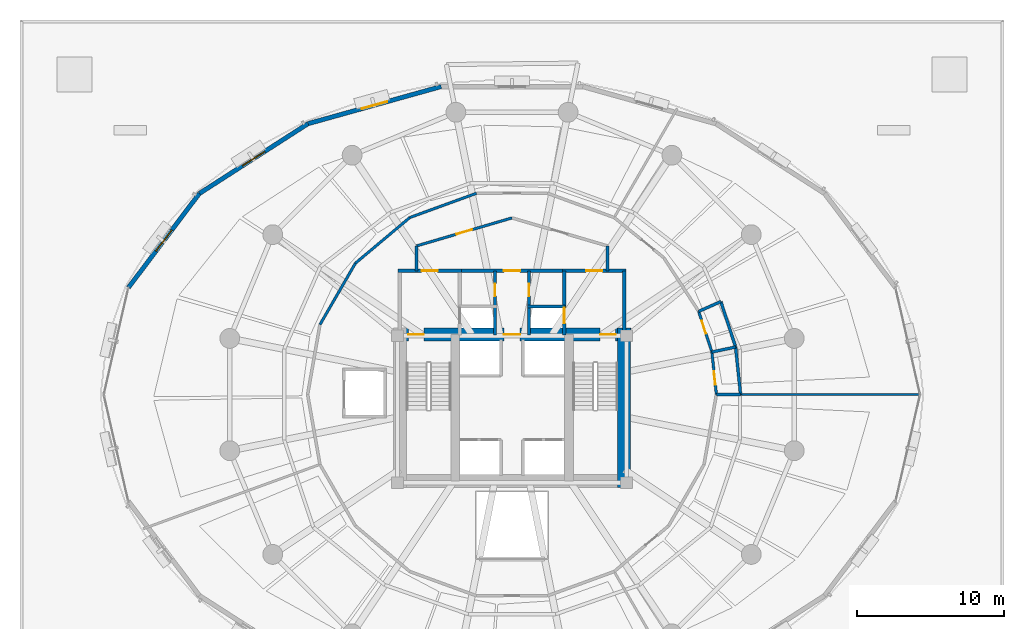
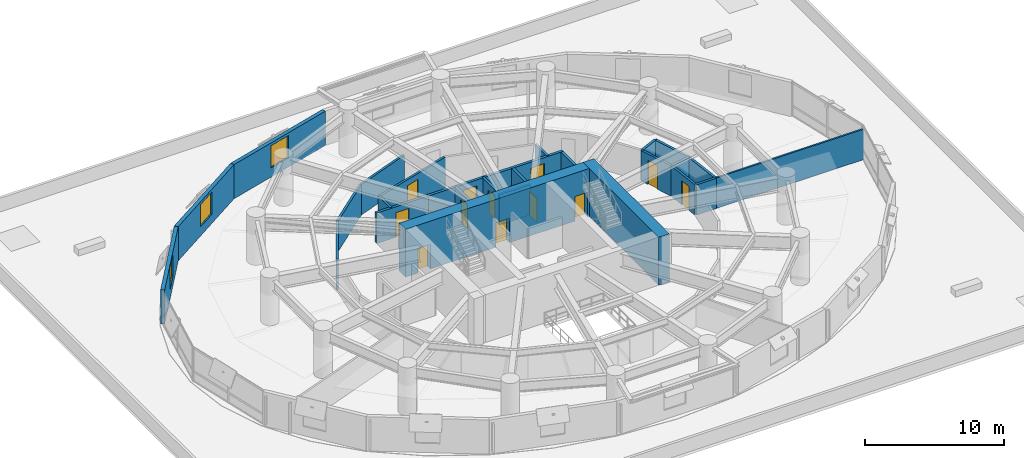
# One storey, part 10 of 15: 27 walls, 12 doors, 3 windows, 15 openings.
"""IFC4 building model written with IfcOpenShell, lengths in metres."""

from ifc_helpers import new_model, si_unit, direction, frame, frame_2d, origin, place, context, subcontext, project, spatial, rectangle, extrude, material, layer, layer_set, type_object, element, fill, save


model = new_model("IFC4")

# Units and contexts
model_context = context("Model", 3, precision=1e-05, world=origin(), true_north=direction((0.0, 1.0)))
body_context = subcontext(model_context, "Body", "Model", "MODEL_VIEW")
ifc_project = project(units=[si_unit("LENGTHUNIT", "METRE"), si_unit("AREAUNIT", "SQUARE_METRE"), si_unit("VOLUMEUNIT", "CUBIC_METRE"), si_unit("PLANEANGLEUNIT", "RADIAN"), si_unit("MASSUNIT", "GRAM", prefix="KILO"), si_unit("THERMODYNAMICTEMPERATUREUNIT", "KELVIN"), si_unit("POWERUNIT", "WATT")], contexts=[model_context])

# Site, building, storey
site_placement = place(None, origin())
site = spatial("IfcSite", under=ifc_project, at=site_placement, CompositionType="ELEMENT")
building_placement = place(site_placement, origin())
building = spatial("IfcBuilding", under=site, at=building_placement, Name="Ocrelia Relay Tower", CompositionType="ELEMENT")
storey_placement = place(building_placement, frame((0.0, 0.0, 30.0)))
storey = spatial("IfcBuildingStorey", under=building, at=storey_placement, Name="L06", CompositionType="ELEMENT", Elevation=30.0)

# Wall, openings, doors
ifc_material_1 = material(Name="Concrete C70/85", Category="concrete")
ifc_layer_1 = layer(ifc_material_1, 0.89990234375, Name="Concrete C70/85")
ifc_layer_set_1 = layer_set([ifc_layer_1], Name="Concrete C70/85")
wall_type_1 = type_object("IfcWallType", Name="CW-CORE-900", PredefinedType="SHEAR", material=ifc_layer_set_1)
wall_1_placement = place(storey_placement, frame((25.922119140625, 30.087890625, 0.0), z_axis=(0.0, 0.0, 1.0), x_axis=(1.0, 0.0, 0.0)))
wall_1 = element("IfcWall", 1, at=wall_1_placement, inside=storey, type_object=wall_type_1, Name="L06 Core Shear Wall N", PredefinedType="SHEAR", context=body_context, shape_type="SweptSolid", body=[
    extrude(rectangle(XDim=16.165771484375, YDim=0.89990234375, at=frame_2d((8.0830078125, 0.0))), origin(), (0.0, 0.0, 1.0), 4.199951171875),
])
opening_1_placement = place(wall_1_placement, frame((1.028076171875, 0.0, 0.0)))
opening_1 = element("IfcOpeningElement", 2, at=opening_1_placement, cuts=wall_1, Name="Opening D-FD90", PredefinedType="OPENING", context=body_context, shape_type="SweptSolid", body=[
    extrude(rectangle(XDim=1.050048828125, YDim=2.14990234375, at=frame_2d((0.52490234375, 1.074951171875))), frame((0.0, 0.4599609375, 0.0), z_axis=(0.0, -1.0, 0.0), x_axis=(1.0, 0.0, 0.0)), (0.0, 0.0, 1.0), 0.919921875),
])
opening_2_placement = place(wall_1_placement, frame((14.077880859375, 0.0, 0.0)))
opening_2 = element("IfcOpeningElement", 3, at=opening_2_placement, cuts=wall_1, Name="Opening D-FD90", PredefinedType="OPENING", context=body_context, shape_type="SweptSolid", body=[
    extrude(rectangle(XDim=1.050048828125, YDim=2.14990234375, at=frame_2d((0.52490234375, 1.074951171875))), frame((0.0, 0.4599609375, 0.0), z_axis=(0.0, -1.0, 0.0), x_axis=(1.0, 0.0, 0.0)), (0.0, 0.0, 1.0), 0.919921875),
])
opening_3_placement = place(wall_1_placement, frame((7.528076171875, 0.0, 0.0)))
opening_3 = element("IfcOpeningElement", 4, at=opening_3_placement, cuts=wall_1, Name="Opening D-FD60", PredefinedType="OPENING", context=body_context, shape_type="SweptSolid", body=[
    extrude(rectangle(XDim=1.10009765625, YDim=2.14990234375, at=frame_2d((0.550048828125, 1.074951171875))), frame((0.0, 0.4599609375, 0.0), z_axis=(0.0, -1.0, 0.0), x_axis=(1.0, 0.0, 0.0)), (0.0, 0.0, 1.0), 0.919921875),
])
ifc_material_2 = material(Name="Timber-core 60-min acoustic fire door", Category="wood")
door_type_1 = type_object("IfcDoorType", Name="DR-LOBBY-FD60-1100", OperationType="NOTDEFINED", PredefinedType="DOOR", material=ifc_material_2)
door_1_placement = place(opening_3_placement, origin())
door_1 = element("IfcDoor", 5, at=door_1_placement, inside=storey, type_object=door_type_1, Name="L06 Core Lift Lobby North Fire Door", OperationType="SINGLE_SWING_RIGHT", OverallHeight=2.14990234375, OverallWidth=1.10009765625, PredefinedType="DOOR", context=body_context, shape_type="SweptSolid", body=[
    extrude(rectangle(XDim=1.10009765625, YDim=2.14990234375, at=frame_2d((0.550048828125, 1.074951171875))), frame((0.0, 0.02490234375, 0.0), z_axis=(0.0, -1.0, 0.0), x_axis=(1.0, 0.0, 0.0)), (0.0, 0.0, 1.0), 0.050048828125),
])
fill(opening_3, door_1)
ifc_material_3 = material(Name="Steel S355 90-min fire door", Category="steel")
door_type_2 = type_object("IfcDoorType", Name="DR-STAIR-FD90-1050", OperationType="NOTDEFINED", PredefinedType="DOOR", material=ifc_material_3)
door_2_placement = place(opening_1_placement, origin())
door_2 = element("IfcDoor", 6, at=door_2_placement, inside=storey, type_object=door_type_2, Name="L06 Stair ST1 Fire Door", OperationType="SINGLE_SWING_RIGHT", OverallHeight=2.14990234375, OverallWidth=1.050048828125, PredefinedType="DOOR", context=body_context, shape_type="SweptSolid", body=[
    extrude(rectangle(XDim=1.050048828125, YDim=2.14990234375, at=frame_2d((0.52490234375, 1.074951171875))), frame((0.0, 0.02490234375, 0.0), z_axis=(0.0, -1.0, 0.0), x_axis=(1.0, 0.0, 0.0)), (0.0, 0.0, 1.0), 0.050048828125),
])
fill(opening_1, door_2)
door_3_placement = place(opening_2_placement, origin())
door_3 = element("IfcDoor", 7, at=door_3_placement, inside=storey, type_object=door_type_2, Name="L06 Stair ST2 Fire Door", OperationType="SINGLE_SWING_LEFT", OverallHeight=2.14990234375, OverallWidth=1.050048828125, PredefinedType="DOOR", context=body_context, shape_type="SweptSolid", body=[
    extrude(rectangle(XDim=1.050048828125, YDim=2.14990234375, at=frame_2d((0.52490234375, 1.074951171875))), frame((0.0, 0.02490234375, 0.0), z_axis=(0.0, -1.0, 0.0), x_axis=(1.0, 0.0, 0.0)), (0.0, 0.0, 1.0), 0.050048828125),
])
fill(opening_2, door_3)

# Walls
wall_2_placement = place(storey_placement, frame((41.637939453125, 19.662109375, 0.0), z_axis=(0.0, 0.0, 1.0), x_axis=(0.0, 1.0, 0.0)))
element("IfcWall", 8, at=wall_2_placement, inside=storey, type_object=wall_type_1, Name="L06 Core Shear Wall E", PredefinedType="SHEAR", context=body_context, shape_type="SweptSolid", body=[
    extrude(rectangle(XDim=10.8759765625, YDim=0.89990234375, at=frame_2d((5.43798828125, 0.0))), origin(), (0.0, 0.0, 1.0), 4.199951171875),
])
ifc_material_4 = material(Name="Gypsum Fireboard Partition EI60", Category="gypsum")
ifc_layer_2 = layer(ifc_material_4, 0.179931640625, Name="Gypsum Fireboard Partition EI60")
ifc_layer_set_2 = layer_set([ifc_layer_2], Name="Gypsum Fireboard Partition EI60")
wall_type_2 = type_object("IfcWallType", Name="W-CORR-EI60-180", PredefinedType="PARTITIONING", material=ifc_layer_set_2)
for number, where, z_axis, x_axis, name in (
    (9, (27.5, 34.429931640625, 0.0), (0.0, 0.0, 1.0), (0.0, 1.0, 0.0), "L06 Smoke Lobby West Return"),
    (10, (40.5, 36.122802734375, 0.0), (0.0, 0.0, 1.0), (0.0, -1.0, 0.0), "L06 Smoke Lobby East Return"),
):
    element("IfcWall", number, at=place(storey_placement, frame(where, z_axis=z_axis, x_axis=x_axis)), inside=storey, type_object=wall_type_2, Name=name, PredefinedType="PARTITIONING", context=body_context, shape_type="SweptSolid", body=[
        extrude(rectangle(XDim=1.69287109375, YDim=0.179931640625, at=frame_2d((0.846435546875, 0.0))), origin(), (0.0, 0.0, 1.0), 2.669921875),
    ])

# Wall, opening, door
wall_3_placement = place(storey_placement, frame((27.5, 36.122802734375, 0.0), z_axis=(0.0, 0.0, 1.0), x_axis=(0.959546654541, 0.281549671923, 0.0)))
wall_3 = element("IfcWall", 11, at=wall_3_placement, inside=storey, type_object=wall_type_2, Name="L06 North Smoke Lobby W Screen Wall", PredefinedType="PARTITIONING", context=body_context, shape_type="SweptSolid", body=[
    extrude(rectangle(XDim=6.77392578125, YDim=0.179931640625, at=frame_2d((3.386962890625, 0.0))), origin(), (0.0, 0.0, 1.0), 2.669921875),
])
opening_4_placement = place(wall_3_placement, frame((2.8369140625, 0.0, 0.0)))
opening_4 = element("IfcOpeningElement", 12, at=opening_4_placement, cuts=wall_3, Name="Opening D-FD60", PredefinedType="OPENING", context=body_context, shape_type="SweptSolid", body=[
    extrude(rectangle(XDim=1.10009765625, YDim=2.14990234375, at=frame_2d((0.550048828125, 1.074951171875))), frame((0.0, 0.10009765625, 0.0), z_axis=(0.0, -1.0, 0.0), x_axis=(1.0, 0.0, 0.0)), (0.0, 0.0, 1.0), 0.199951171875),
])
door_4_placement = place(opening_4_placement, origin())
door_4 = element("IfcDoor", 13, at=door_4_placement, inside=storey, type_object=door_type_1, Name="L06 North Smoke Lobby W Fire Door", OperationType="SINGLE_SWING_RIGHT", OverallHeight=2.14990234375, OverallWidth=1.10009765625, PredefinedType="DOOR", context=body_context, shape_type="SweptSolid", body=[
    extrude(rectangle(XDim=1.10009765625, YDim=2.14990234375, at=frame_2d((0.550048828125, 1.074951171875))), frame((0.0, 0.02490234375, 0.0), z_axis=(0.0, -1.0, 0.0), x_axis=(1.0, 0.0, 0.0)), (0.0, 0.0, 1.0), 0.050048828125),
])
fill(opening_4, door_4)

wall_4_placement = place(storey_placement, frame((47.919921875, 26.0, 0.0), z_axis=(0.0, 0.0, 1.0), x_axis=(-0.104536296253, 0.994521072057, 0.0)))
wall_4 = element("IfcWall", 14, at=wall_4_placement, inside=storey, type_object=wall_type_2, Name="L06 Staff Toilet Corridor Wall", PredefinedType="PARTITIONING", context=body_context, shape_type="SweptSolid", body=[
    extrude(rectangle(XDim=2.909912109375, YDim=0.179931640625, at=frame_2d((1.455078125, 0.0))), origin(), (0.0, 0.0, 1.0), 2.669921875),
])
opening_5_placement = place(wall_4_placement, frame((0.6689453125, 0.0, 0.0)))
opening_5 = element("IfcOpeningElement", 15, at=opening_5_placement, cuts=wall_4, Name="Opening D-WC92", PredefinedType="OPENING", context=body_context, shape_type="SweptSolid", body=[
    extrude(rectangle(XDim=0.919921875, YDim=2.10009765625, at=frame_2d((0.4599609375, 1.050048828125))), frame((0.0, 0.10009765625, 0.0), z_axis=(0.0, -1.0, 0.0), x_axis=(1.0, 0.0, 0.0)), (0.0, 0.0, 1.0), 0.199951171875),
])
ifc_material_5 = material(Name="Laminate washroom door", Category="wood")
door_type_3 = type_object("IfcDoorType", Name="DR-WC-920", OperationType="NOTDEFINED", PredefinedType="DOOR", material=ifc_material_5)
door_5_placement = place(opening_5_placement, origin())
door_5 = element("IfcDoor", 16, at=door_5_placement, inside=storey, type_object=door_type_3, Name="L06 Staff Toilet Door", OperationType="SINGLE_SWING_RIGHT", OverallHeight=2.10009765625, OverallWidth=0.919921875, PredefinedType="DOOR", context=body_context, shape_type="SweptSolid", body=[
    extrude(rectangle(XDim=0.919921875, YDim=2.10009765625, at=frame_2d((0.4599609375, 1.050048828125))), frame((0.0, 0.02490234375, 0.0), z_axis=(0.0, -1.0, 0.0), x_axis=(1.0, 0.0, 0.0)), (0.0, 0.0, 1.0), 0.050048828125),
])
fill(opening_5, door_5)

wall_5_placement = place(storey_placement, frame((47.61572265625, 28.89404296875, 0.0), z_axis=(0.0, 0.0, 1.0), x_axis=(-0.308970358399, 0.951071667978, 0.0)))
wall_5 = element("IfcWall", 17, at=wall_5_placement, inside=storey, type_object=wall_type_2, Name="L06 Accessible Toilet Corridor Wall", PredefinedType="PARTITIONING", context=body_context, shape_type="SweptSolid", body=[
    extrude(rectangle(XDim=2.91015625, YDim=0.179931640625, at=frame_2d((1.455078125, 0.0))), origin(), (0.0, 0.0, 1.0), 2.669921875),
])
opening_6_placement = place(wall_5_placement, frame((1.321044921875, 0.0, 0.0)))
opening_6 = element("IfcOpeningElement", 18, at=opening_6_placement, cuts=wall_5, Name="Opening D-WC92", PredefinedType="OPENING", context=body_context, shape_type="SweptSolid", body=[
    extrude(rectangle(XDim=0.919921875, YDim=2.10009765625, at=frame_2d((0.4599609375, 1.050048828125))), frame((0.0, 0.10009765625, 0.0), z_axis=(0.0, -1.0, 0.0), x_axis=(1.0, 0.0, 0.0)), (0.0, 0.0, 1.0), 0.199951171875),
])
door_6_placement = place(opening_6_placement, origin())
door_6 = element("IfcDoor", 19, at=door_6_placement, inside=storey, type_object=door_type_3, Name="L06 Accessible Toilet Door", OperationType="SINGLE_SWING_LEFT", OverallHeight=2.10009765625, OverallWidth=0.919921875, PredefinedType="DOOR", context=body_context, shape_type="SweptSolid", body=[
    extrude(rectangle(XDim=0.919921875, YDim=2.10009765625, at=frame_2d((0.4599609375, 1.050048828125))), frame((0.0, 0.02490234375, 0.0), z_axis=(0.0, -1.0, 0.0), x_axis=(1.0, 0.0, 0.0)), (0.0, 0.0, 1.0), 0.050048828125),
])
fill(opening_6, door_6)

# Walls
wall_6_placement = place(storey_placement, frame((31.582763671875, 39.70849609375, 0.0), z_axis=(0.0, 0.0, 1.0), x_axis=(-0.939699018122, -0.342002566277, 0.0)))
element("IfcWall", 20, at=wall_6_placement, inside=storey, type_object=wall_type_2, Name="L06 Colocation Data Hall A Corridor Partition 3", PredefinedType="PARTITIONING", context=body_context, shape_type="SweptSolid", body=[
    extrude(rectangle(XDim=4.834228515625, YDim=0.179931640625, at=frame_2d((2.4169921875, 0.0))), origin(), (0.0, 0.0, 1.0), 2.669921875),
])
wall_7_placement = place(storey_placement, frame((27.0400390625, 38.05517578125, 0.0), z_axis=(0.0, 0.0, 1.0), x_axis=(-0.766027093856, -0.642808285167, 0.0)))
element("IfcWall", 21, at=wall_7_placement, inside=storey, type_object=wall_type_2, Name="L06 Colocation Data Hall A Corridor Partition 4", PredefinedType="PARTITIONING", context=body_context, shape_type="SweptSolid", body=[
    extrude(rectangle(XDim=4.83447265625, YDim=0.179931640625, at=frame_2d((2.417236328125, 0.0))), origin(), (0.0, 0.0, 1.0), 2.669921875),
])
wall_8_placement = place(storey_placement, frame((23.336669921875, 34.947509765625, 0.0), z_axis=(0.0, 0.0, 1.0), x_axis=(-0.500022634323, -0.866012335458, 0.0)))
element("IfcWall", 22, at=wall_8_placement, inside=storey, type_object=wall_type_2, Name="L06 Colocation Data Hall A Corridor Partition 5", PredefinedType="PARTITIONING", context=body_context, shape_type="SweptSolid", body=[
    extrude(rectangle(XDim=4.834228515625, YDim=0.179931640625, at=frame_2d((2.4169921875, 0.0))), origin(), (0.0, 0.0, 1.0), 2.669921875),
])

# Wall, opening, window
ifc_material_6 = material(Name="Precast concrete C40/50 with oxide terracotta", Category="masonry")
ifc_layer_3 = layer(ifc_material_6, 0.300048828125, Name="Precast concrete C40/50 with oxide terracotta")
ifc_layer_set_3 = layer_set([ifc_layer_3], Name="Precast concrete C40/50 with oxide terracotta")
wall_type_3 = type_object("IfcWallType", Name="W-EXT-TERR-300", PredefinedType="SOLIDWALL", material=ifc_layer_set_3)
wall_9_placement = place(storey_placement, frame((29.172607421875, 46.976318359375, 0.0), z_axis=(0.0, 0.0, 1.0), x_axis=(-0.963246695545, -0.268618323133, 0.0)))
wall_9 = element("IfcWall", 23, at=wall_9_placement, inside=storey, type_object=wall_type_3, Name="L06 Oxide Terracotta Facade Wall 06", PredefinedType="SOLIDWALL", context=body_context, shape_type="SweptSolid", body=[
    extrude(rectangle(XDim=9.418701171875, YDim=0.300048828125, at=frame_2d((4.70947265625, 0.0))), origin(), (0.0, 0.0, 1.0), 3.0),
])
opening_7_placement = place(wall_9_placement, frame((3.80908203125, 0.0, 0.800048828125)))
opening_7 = element("IfcOpeningElement", 24, at=opening_7_placement, cuts=wall_9, Name="Opening W-02", PredefinedType="OPENING", context=body_context, shape_type="SweptSolid", body=[
    extrude(rectangle(XDim=1.800048828125, YDim=1.949951171875, at=frame_2d((0.89990234375, 0.97509765625))), frame((0.0, 0.16015625, 0.0), z_axis=(0.0, -1.0, 0.0), x_axis=(1.0, 0.0, 0.0)), (0.0, 0.0, 1.0), 0.320068359375),
])
ifc_material_7 = material(Name="Clear double-glazed low-E glass", Category="glass")
window_type = type_object("IfcWindowType", Name="WIN-Z1-1800x2100", PartitioningType="DOUBLE_PANEL_VERTICAL", PredefinedType="WINDOW", material=ifc_material_7)
window_1_placement = place(opening_7_placement, origin())
window_1 = element("IfcWindow", 25, at=window_1_placement, inside=storey, type_object=window_type, Name="L06 Facade Module Window 06", OverallHeight=1.949951171875, OverallWidth=1.800048828125, PartitioningType="SINGLE_PANEL", PredefinedType="WINDOW", context=body_context, shape_type="SweptSolid", body=[
    extrude(rectangle(XDim=1.800048828125, YDim=1.949951171875, at=frame_2d((0.89990234375, 0.97509765625))), frame((0.0, 0.030029296875, 0.0), z_axis=(0.0, -1.0, 0.0), x_axis=(1.0, 0.0, 0.0)), (0.0, 0.0, 1.0), 0.06005859375),
])
fill(opening_7, window_1)

wall_10_placement = place(storey_placement, frame((20.10009765625, 44.4462890625, 0.0), z_axis=(0.0, 0.0, 1.0), x_axis=(-0.841162236031, -0.540782851685, 0.0)))
wall_10 = element("IfcWall", 26, at=wall_10_placement, inside=storey, type_object=wall_type_3, Name="L06 Oxide Terracotta Facade Wall 07", PredefinedType="SOLIDWALL", context=body_context, shape_type="SweptSolid", body=[
    extrude(rectangle(XDim=8.79248046875, YDim=0.300048828125, at=frame_2d((4.396240234375, 0.0))), origin(), (0.0, 0.0, 1.0), 3.0),
])
opening_8_placement = place(wall_10_placement, frame((3.49609375, 0.0, 0.800048828125)))
opening_8 = element("IfcOpeningElement", 27, at=opening_8_placement, cuts=wall_10, Name="Opening W-02", PredefinedType="OPENING", context=body_context, shape_type="SweptSolid", body=[
    extrude(rectangle(XDim=1.800048828125, YDim=1.949951171875, at=frame_2d((0.89990234375, 0.97509765625))), frame((0.0, 0.16015625, 0.0), z_axis=(0.0, -1.0, 0.0), x_axis=(1.0, 0.0, 0.0)), (0.0, 0.0, 1.0), 0.320068359375),
])
window_2_placement = place(opening_8_placement, origin())
window_2 = element("IfcWindow", 28, at=window_2_placement, inside=storey, type_object=window_type, Name="L06 Facade Module Window 07", OverallHeight=1.949951171875, OverallWidth=1.800048828125, PartitioningType="SINGLE_PANEL", PredefinedType="WINDOW", context=body_context, shape_type="SweptSolid", body=[
    extrude(rectangle(XDim=1.800048828125, YDim=1.949951171875, at=frame_2d((0.89990234375, 0.97509765625))), frame((0.0, 0.030029296875, 0.0), z_axis=(0.0, -1.0, 0.0), x_axis=(1.0, 0.0, 0.0)), (0.0, 0.0, 1.0), 0.06005859375),
])
fill(opening_8, window_2)

wall_11_placement = place(storey_placement, frame((12.7041015625, 39.69140625, 0.0), z_axis=(0.0, 0.0, 1.0), x_axis=(-0.601814793535, -0.798635683076, 0.0)))
wall_11 = element("IfcWall", 29, at=wall_11_placement, inside=storey, type_object=wall_type_3, Name="L06 Oxide Terracotta Facade Wall 08", PredefinedType="SOLIDWALL", context=body_context, shape_type="SweptSolid", body=[
    extrude(rectangle(XDim=8.021728515625, YDim=0.300048828125, at=frame_2d((4.0107421875, 0.0))), origin(), (0.0, 0.0, 1.0), 3.0),
])
opening_9_placement = place(wall_11_placement, frame((3.111083984375, 0.0, 0.800048828125)))
opening_9 = element("IfcOpeningElement", 30, at=opening_9_placement, cuts=wall_11, Name="Opening W-02", PredefinedType="OPENING", context=body_context, shape_type="SweptSolid", body=[
    extrude(rectangle(XDim=1.800048828125, YDim=1.949951171875, at=frame_2d((0.89990234375, 0.97509765625))), frame((0.0, 0.16015625, 0.0), z_axis=(0.0, -1.0, 0.0), x_axis=(1.0, 0.0, 0.0)), (0.0, 0.0, 1.0), 0.320068359375),
])
window_3_placement = place(opening_9_placement, origin())
window_3 = element("IfcWindow", 31, at=window_3_placement, inside=storey, type_object=window_type, Name="L06 Facade Module Window 08", OverallHeight=1.949951171875, OverallWidth=1.800048828125, PartitioningType="SINGLE_PANEL", PredefinedType="WINDOW", context=body_context, shape_type="SweptSolid", body=[
    extrude(rectangle(XDim=1.800048828125, YDim=1.949951171875, at=frame_2d((0.89990234375, 0.97509765625))), frame((0.0, 0.030029296875, 0.0), z_axis=(0.0, -1.0, 0.0), x_axis=(1.0, 0.0, 0.0)), (0.0, 0.0, 1.0), 0.06005859375),
])
fill(opening_9, window_3)

# Wall, opening, door
ifc_material_8 = material(Name="Concrete C50/60", Category="concrete")
ifc_layer_4 = layer(ifc_material_8, 0.219970703125, Name="Concrete C50/60")
ifc_layer_set_4 = layer_set([ifc_layer_4], Name="Concrete C50/60")
wall_type_4 = type_object("IfcWallType", Name="W-FFL-EI120-220", PredefinedType="SOLIDWALL", material=ifc_layer_set_4)
wall_12_placement = place(storey_placement, frame((26.239990234375, 34.429931640625, 0.0), z_axis=(0.0, 0.0, 1.0), x_axis=(1.0, 0.0, 0.0)))
wall_12 = element("IfcWall", 32, at=wall_12_placement, inside=storey, type_object=wall_type_4, Name="L06 W Fire Service Lift Lobby North Wall", PredefinedType="SOLIDWALL", context=body_context, shape_type="SweptSolid", body=[
    extrude(rectangle(XDim=4.31005859375, YDim=0.219970703125, at=frame_2d((2.155029296875, 0.0))), origin(), (0.0, 0.0, 1.0), 2.669921875),
])
opening_10_placement = place(wall_12_placement, frame((1.60009765625, 0.0, 0.0)))
opening_10 = element("IfcOpeningElement", 33, at=opening_10_placement, cuts=wall_12, Name="Opening D-FD60", PredefinedType="OPENING", context=body_context, shape_type="SweptSolid", body=[
    extrude(rectangle(XDim=1.10009765625, YDim=2.14990234375, at=frame_2d((0.550048828125, 1.074951171875))), frame((0.0, 0.1201171875, 0.0), z_axis=(0.0, -1.0, 0.0), x_axis=(1.0, 0.0, 0.0)), (0.0, 0.0, 1.0), 0.239990234375),
])
door_7_placement = place(opening_10_placement, origin())
door_7 = element("IfcDoor", 34, at=door_7_placement, inside=storey, type_object=door_type_1, Name="L06 W Fire Service Lift Lobby Exit Door", OperationType="SINGLE_SWING_LEFT", OverallHeight=2.14990234375, OverallWidth=1.10009765625, PredefinedType="DOOR", context=body_context, shape_type="SweptSolid", body=[
    extrude(rectangle(XDim=1.10009765625, YDim=2.14990234375, at=frame_2d((0.550048828125, 1.074951171875))), frame((0.0, 0.02490234375, 0.0), z_axis=(0.0, -1.0, 0.0), x_axis=(1.0, 0.0, 0.0)), (0.0, 0.0, 1.0), 0.050048828125),
])
fill(opening_10, door_7)

wall_13_placement = place(storey_placement, frame((37.56005859375, 30.050048828125, 0.0), z_axis=(0.0, 0.0, 1.0), x_axis=(0.0, 1.0, 0.0)))
wall_13 = element("IfcWall", 35, at=wall_13_placement, inside=storey, type_object=wall_type_4, Name="L06 E Fire Service Lift Lobby West Wall", PredefinedType="SOLIDWALL", context=body_context, shape_type="SweptSolid", body=[
    extrude(rectangle(XDim=4.3798828125, YDim=0.219970703125, at=frame_2d((2.18994140625, 0.0))), origin(), (0.0, 0.0, 1.0), 2.669921875),
])
opening_11_placement = place(wall_13_placement, frame((0.800048828125, 0.0, 0.0)))
opening_11 = element("IfcOpeningElement", 36, at=opening_11_placement, cuts=wall_13, Name="Opening LD-FFL2", PredefinedType="OPENING", context=body_context, shape_type="SweptSolid", body=[
    extrude(rectangle(XDim=1.050048828125, YDim=2.10009765625, at=frame_2d((0.52490234375, 1.050048828125))), frame((0.0, 0.1201171875, 0.0), z_axis=(0.0, -1.0, 0.0), x_axis=(1.0, 0.0, 0.0)), (0.0, 0.0, 1.0), 0.239990234375),
])
ifc_material_9 = material(Name="Brushed stainless steel S355 lift landing door", Category="steel")
door_type_4 = type_object("IfcDoorType", Name="DR-LIFT-LAND-1050", OperationType="DOUBLE_DOOR_SLIDING", PredefinedType="USERDEFINED", material=ifc_material_9)
door_8_placement = place(opening_11_placement, origin())
door_8 = element("IfcDoor", 37, at=door_8_placement, inside=storey, type_object=door_type_4, Name="L06 Firefighting Lift FFL2 Sliding Landing Door", ObjectType="LANDING DOOR", OperationType="DOUBLE_DOOR_SLIDING", OverallHeight=2.10009765625, OverallWidth=1.050048828125, PredefinedType="USERDEFINED", context=body_context, shape_type="SweptSolid", body=[
    extrude(rectangle(XDim=1.050048828125, YDim=2.10009765625, at=frame_2d((0.52490234375, 1.050048828125))), frame((0.0, 0.02490234375, 0.0), z_axis=(0.0, -1.0, 0.0), x_axis=(1.0, 0.0, 0.0)), (0.0, 0.0, 1.0), 0.050048828125),
])
fill(opening_11, door_8)

# Wall
wall_14_placement = place(storey_placement, frame((41.64990234375, 30.050048828125, 0.0), z_axis=(0.0, 0.0, 1.0), x_axis=(0.0, 1.0, 0.0)))
element("IfcWall", 38, at=wall_14_placement, inside=storey, type_object=wall_type_4, Name="L06 E Fire Service Lift Lobby East Wall", PredefinedType="SOLIDWALL", context=body_context, shape_type="SweptSolid", body=[
    extrude(rectangle(XDim=4.3798828125, YDim=0.219970703125, at=frame_2d((2.18994140625, 0.0))), origin(), (0.0, 0.0, 1.0), 2.669921875),
])

# Wall, opening, door
wall_15_placement = place(storey_placement, frame((37.449951171875, 34.429931640625, 0.0), z_axis=(0.0, 0.0, 1.0), x_axis=(1.0, 0.0, 0.0)))
wall_15 = element("IfcWall", 39, at=wall_15_placement, inside=storey, type_object=wall_type_4, Name="L06 E Fire Service Lift Lobby North Wall", PredefinedType="SOLIDWALL", context=body_context, shape_type="SweptSolid", body=[
    extrude(rectangle(XDim=4.31005859375, YDim=0.219970703125, at=frame_2d((2.155029296875, 0.0))), origin(), (0.0, 0.0, 1.0), 2.669921875),
])
opening_12_placement = place(wall_15_placement, frame((1.60009765625, 0.0, 0.0)))
opening_12 = element("IfcOpeningElement", 40, at=opening_12_placement, cuts=wall_15, Name="Opening D-FD60", PredefinedType="OPENING", context=body_context, shape_type="SweptSolid", body=[
    extrude(rectangle(XDim=1.10009765625, YDim=2.14990234375, at=frame_2d((0.550048828125, 1.074951171875))), frame((0.0, 0.1201171875, 0.0), z_axis=(0.0, -1.0, 0.0), x_axis=(1.0, 0.0, 0.0)), (0.0, 0.0, 1.0), 0.239990234375),
])
door_9_placement = place(opening_12_placement, origin())
door_9 = element("IfcDoor", 41, at=door_9_placement, inside=storey, type_object=door_type_1, Name="L06 E Fire Service Lift Lobby Exit Door", OperationType="SINGLE_SWING_LEFT", OverallHeight=2.14990234375, OverallWidth=1.10009765625, PredefinedType="DOOR", context=body_context, shape_type="SweptSolid", body=[
    extrude(rectangle(XDim=1.10009765625, YDim=2.14990234375, at=frame_2d((0.550048828125, 1.074951171875))), frame((0.0, 0.02490234375, 0.0), z_axis=(0.0, -1.0, 0.0), x_axis=(1.0, 0.0, 0.0)), (0.0, 0.0, 1.0), 0.050048828125),
])
fill(opening_12, door_9)

wall_16_placement = place(storey_placement, frame((30.43994140625, 34.429931640625, 0.0), z_axis=(0.0, 0.0, 1.0), x_axis=(1.0, 0.0, 0.0)))
wall_16 = element("IfcWall", 42, at=wall_16_placement, inside=storey, type_object=wall_type_4, Name="L06 North Core Vestibule Wall", PredefinedType="SOLIDWALL", context=body_context, shape_type="SweptSolid", body=[
    extrude(rectangle(XDim=7.1201171875, YDim=0.219970703125, at=frame_2d((3.56005859375, 0.0))), origin(), (0.0, 0.0, 1.0), 2.669921875),
])
opening_13_placement = place(wall_16_placement, frame((3.010009765625, 0.0, 0.0)))
opening_13 = element("IfcOpeningElement", 43, at=opening_13_placement, cuts=wall_16, Name="Opening D-FD60", PredefinedType="OPENING", context=body_context, shape_type="SweptSolid", body=[
    extrude(rectangle(XDim=1.10009765625, YDim=2.14990234375, at=frame_2d((0.550048828125, 1.074951171875))), frame((0.0, 0.1201171875, 0.0), z_axis=(0.0, -1.0, 0.0), x_axis=(1.0, 0.0, 0.0)), (0.0, 0.0, 1.0), 0.239990234375),
])
door_10_placement = place(opening_13_placement, origin())
door_10 = element("IfcDoor", 44, at=door_10_placement, inside=storey, type_object=door_type_1, Name="L06 North Core Vestibule Corridor Door", OperationType="SINGLE_SWING_LEFT", OverallHeight=2.14990234375, OverallWidth=1.10009765625, PredefinedType="DOOR", context=body_context, shape_type="SweptSolid", body=[
    extrude(rectangle(XDim=1.10009765625, YDim=2.14990234375, at=frame_2d((0.550048828125, 1.074951171875))), frame((0.0, 0.02490234375, 0.0), z_axis=(0.0, -1.0, 0.0), x_axis=(1.0, 0.0, 0.0)), (0.0, 0.0, 1.0), 0.050048828125),
])
fill(opening_13, door_10)

# Walls
ifc_material_10 = material(Name="Acoustic Fireboard Partition EI60", Category="gypsum")
ifc_layer_5 = layer(ifc_material_10, 0.139892578125, Name="Acoustic Fireboard Partition EI60")
ifc_layer_set_5 = layer_set([ifc_layer_5], Name="Acoustic Fireboard Partition EI60")
wall_type_5 = type_object("IfcWallType", Name="W-PART-140", PredefinedType="PARTITIONING", material=ifc_layer_set_5)
wall_17_placement = place(storey_placement, frame((49.570068359375, 26.0, 0.0), z_axis=(0.0, 0.0, 1.0), x_axis=(1.0, 0.0, 0.0)))
element("IfcWall", 45, at=wall_17_placement, inside=storey, type_object=wall_type_5, Name="L06 Operations Control Office Radial Partition", PredefinedType="PARTITIONING", context=body_context, shape_type="SweptSolid", body=[
    extrude(rectangle(XDim=12.22998046875, YDim=0.139892578125, at=frame_2d((6.114990234375, 0.0))), origin(), (0.0, 0.0, 1.0), 2.669921875),
])
ifc_material_11 = material(Name="Moisture-Resistant Fireboard Chase Wall EI60", Category="gypsum")
ifc_layer_6 = layer(ifc_material_11, 0.199951171875, Name="Moisture-Resistant Fireboard Chase Wall EI60")
ifc_layer_set_6 = layer_set([ifc_layer_6], Name="Moisture-Resistant Fireboard Chase Wall EI60")
wall_type_6 = type_object("IfcWallType", Name="W-PLUMB-200", PredefinedType="PLUMBINGWALL", material=ifc_layer_set_6)
for number, where, z_axis, x_axis, name in (
    (46, (47.919921875, 26.0, 0.0), (0.0, 0.0, 1.0), (1.0, 0.0, 0.0), "L06 Staff Toilet Plumbing Radial Wall"),
    (47, (47.61572265625, 28.89404296875, 0.0), (0.0, 0.0, 1.0), (0.978123866934, 0.208023318244, 0.0), "L06 Staff Toilet Plumbing Radial Wall"),
):
    element("IfcWall", number, at=place(storey_placement, frame(where, z_axis=z_axis, x_axis=x_axis)), inside=storey, type_object=wall_type_6, Name=name, PredefinedType="PLUMBINGWALL", context=body_context, shape_type="SweptSolid", body=[
        extrude(rectangle(XDim=1.650146484375, YDim=0.199951171875, at=frame_2d((0.8251953125, 0.0))), origin(), (0.0, 0.0, 1.0), 2.669921875),
    ])
wall_18_placement = place(storey_placement, frame((49.570068359375, 26.0, 0.0), z_axis=(0.0, 0.0, 1.0), x_axis=(-0.104552041268, 0.994519416938, 0.0)))
element("IfcWall", 48, at=wall_18_placement, inside=storey, type_object=wall_type_6, Name="L06 Staff Toilet Back Plumbing Wall", PredefinedType="PLUMBINGWALL", context=body_context, shape_type="SweptSolid", body=[
    extrude(rectangle(XDim=3.255126953125, YDim=0.199951171875, at=frame_2d((1.62744140625, 0.0))), origin(), (0.0, 0.0, 1.0), 2.669921875),
])
wall_19_placement = place(storey_placement, frame((46.716552734375, 31.661865234375, 0.0), z_axis=(0.0, 0.0, 1.0), x_axis=(0.913536765304, 0.406756165828, 0.0)))
element("IfcWall", 49, at=wall_19_placement, inside=storey, type_object=wall_type_6, Name="L06 Accessible Toilet Plumbing Radial Wall", PredefinedType="PLUMBINGWALL", context=body_context, shape_type="SweptSolid", body=[
    extrude(rectangle(XDim=1.64990234375, YDim=0.199951171875, at=frame_2d((0.824951171875, 0.0))), origin(), (0.0, 0.0, 1.0), 2.669921875),
])
wall_20_placement = place(storey_placement, frame((49.229736328125, 29.2373046875, 0.0), z_axis=(0.0, 0.0, 1.0), x_axis=(-0.309018232614, 0.951056113966, 0.0)))
element("IfcWall", 50, at=wall_20_placement, inside=storey, type_object=wall_type_6, Name="L06 Accessible Toilet Back Plumbing Wall", PredefinedType="PLUMBINGWALL", context=body_context, shape_type="SweptSolid", body=[
    extrude(rectangle(XDim=3.255126953125, YDim=0.199951171875, at=frame_2d((1.62744140625, 0.0))), origin(), (0.0, 0.0, 1.0), 2.669921875),
])

# Wall, opening, door
ifc_layer_7 = layer(ifc_material_8, 0.199951171875, Name="Concrete C50/60")
ifc_layer_set_7 = layer_set([ifc_layer_7], Name="Concrete C50/60")
wall_type_7 = type_object("IfcWallType", Name="W-SHAFT-EI120-200", PredefinedType="SOLIDWALL", material=ifc_layer_set_7)
wall_21_placement = place(storey_placement, frame((32.85009765625, 30.050048828125, 0.0), z_axis=(0.0, 0.0, 1.0), x_axis=(0.0, 1.0, 0.0)))
wall_21 = element("IfcWall", 51, at=wall_21_placement, inside=storey, type_object=wall_type_7, Name="L06 FFL1 and Service Vestibule Wall", PredefinedType="SOLIDWALL", context=body_context, shape_type="SweptSolid", body=[
    extrude(rectangle(XDim=4.3798828125, YDim=0.199951171875, at=frame_2d((2.18994140625, 0.0))), origin(), (0.0, 0.0, 1.0), 2.669921875),
])
opening_14_placement = place(wall_21_placement, frame((2.64990234375, 0.0, 0.0)))
opening_14 = element("IfcOpeningElement", 52, at=opening_14_placement, cuts=wall_21, Name="Opening D-RS86", PredefinedType="OPENING", context=body_context, shape_type="SweptSolid", body=[
    extrude(rectangle(XDim=0.860107421875, YDim=2.050048828125, at=frame_2d((0.43017578125, 1.02490234375))), frame((0.0, 0.10986328125, 0.0), z_axis=(0.0, -1.0, 0.0), x_axis=(1.0, 0.0, 0.0)), (0.0, 0.0, 1.0), 0.219970703125),
])
ifc_material_12 = material(Name="Steel S355 riser access fire door", Category="steel")
door_type_5 = type_object("IfcDoorType", Name="DR-RISER-TRAP-860", OperationType="NOTDEFINED", PredefinedType="TRAPDOOR", material=ifc_material_12)
door_11_placement = place(opening_14_placement, origin())
door_11 = element("IfcDoor", 53, at=door_11_placement, inside=storey, type_object=door_type_5, Name="L06 Core Support Room W Door", OperationType="SINGLE_SWING_RIGHT", OverallHeight=2.050048828125, OverallWidth=0.860107421875, PredefinedType="TRAPDOOR", context=body_context, shape_type="SweptSolid", body=[
    extrude(rectangle(XDim=0.860107421875, YDim=2.050048828125, at=frame_2d((0.43017578125, 1.02490234375))), frame((0.0, 0.02490234375, 0.0), z_axis=(0.0, -1.0, 0.0), x_axis=(1.0, 0.0, 0.0)), (0.0, 0.0, 1.0), 0.050048828125),
])
fill(opening_14, door_11)

# Wall
wall_22_placement = place(storey_placement, frame((35.050048828125, 32.0, 0.0), z_axis=(0.0, 0.0, 1.0), x_axis=(1.0, 0.0, 0.0)))
element("IfcWall", 54, at=wall_22_placement, inside=storey, type_object=wall_type_7, Name="L06 FFL2 Hoistway North Wall", PredefinedType="SOLIDWALL", context=body_context, shape_type="SweptSolid", body=[
    extrude(rectangle(XDim=2.550048828125, YDim=0.199951171875, at=frame_2d((1.27490234375, 0.0))), origin(), (0.0, 0.0, 1.0), 2.669921875),
])

# Wall, opening, door
wall_23_placement = place(storey_placement, frame((35.14990234375, 30.050048828125, 0.0), z_axis=(0.0, 0.0, 1.0), x_axis=(0.0, 1.0, 0.0)))
wall_23 = element("IfcWall", 55, at=wall_23_placement, inside=storey, type_object=wall_type_7, Name="L06 FFL2 and Service Vestibule Wall", PredefinedType="SOLIDWALL", context=body_context, shape_type="SweptSolid", body=[
    extrude(rectangle(XDim=4.3798828125, YDim=0.199951171875, at=frame_2d((2.18994140625, 0.0))), origin(), (0.0, 0.0, 1.0), 2.669921875),
])
opening_15_placement = place(wall_23_placement, frame((2.64990234375, 0.0, 0.0)))
opening_15 = element("IfcOpeningElement", 56, at=opening_15_placement, cuts=wall_23, Name="Opening D-RS86", PredefinedType="OPENING", context=body_context, shape_type="SweptSolid", body=[
    extrude(rectangle(XDim=0.860107421875, YDim=2.050048828125, at=frame_2d((0.43017578125, 1.02490234375))), frame((0.0, 0.10986328125, 0.0), z_axis=(0.0, -1.0, 0.0), x_axis=(1.0, 0.0, 0.0)), (0.0, 0.0, 1.0), 0.219970703125),
])
door_12_placement = place(opening_15_placement, origin())
door_12 = element("IfcDoor", 57, at=door_12_placement, inside=storey, type_object=door_type_5, Name="L06 Core Support Room E Door", OperationType="SINGLE_SWING_RIGHT", OverallHeight=2.050048828125, OverallWidth=0.860107421875, PredefinedType="TRAPDOOR", context=body_context, shape_type="SweptSolid", body=[
    extrude(rectangle(XDim=0.860107421875, YDim=2.050048828125, at=frame_2d((0.43017578125, 1.02490234375))), frame((0.0, 0.02490234375, 0.0), z_axis=(0.0, -1.0, 0.0), x_axis=(1.0, 0.0, 0.0)), (0.0, 0.0, 1.0), 0.050048828125),
])
fill(opening_15, door_12)

save(model, "model.ifc")
